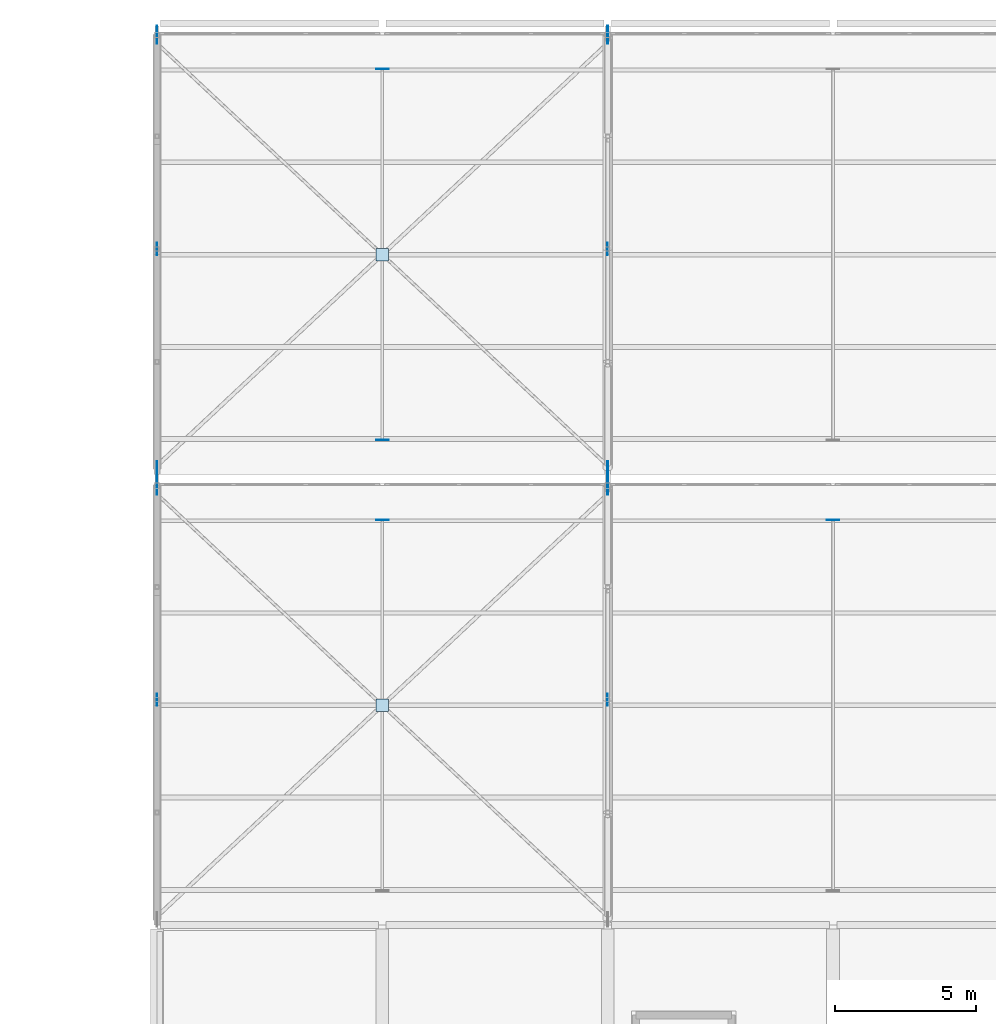
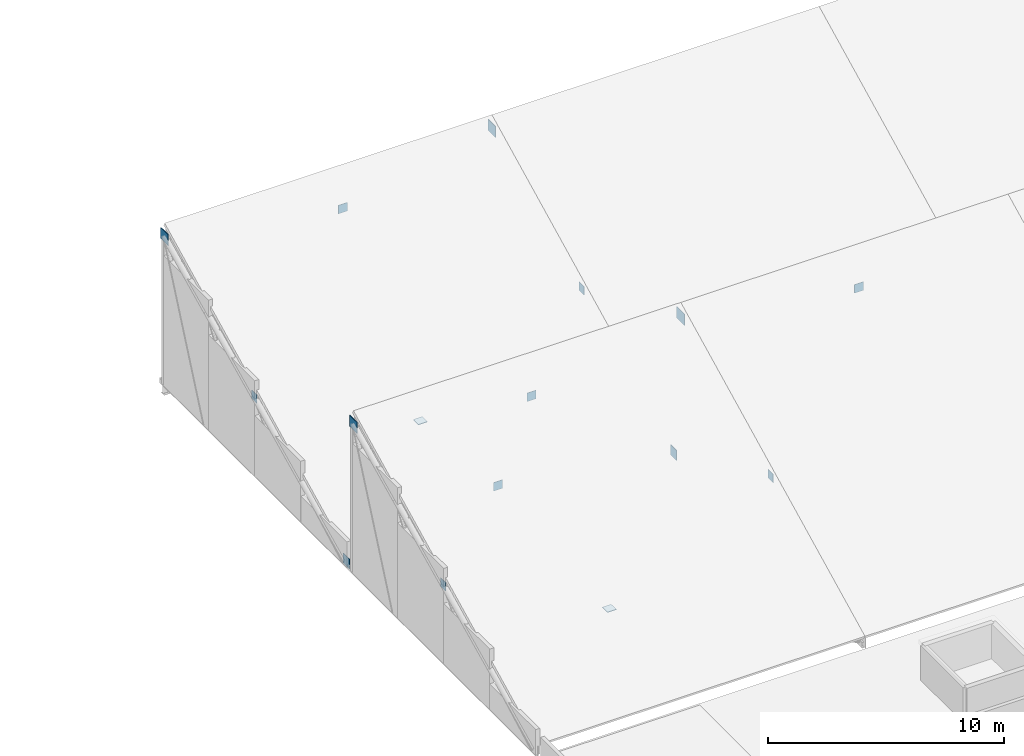
# One storey, part 102 of 137: 16 plates.
"""IFC4 building model written with IfcOpenShell, lengths in metres."""

from ifc_helpers import new_model, si_unit, direction, frame, origin, origin_2d, place, context, subcontext, project, spatial, rectangle, extrude, material, layer, layer_set, type_object, element, save


model = new_model("IFC4")

# Units and contexts
model_context = context("Model", 3, precision=1e-05, world=origin(), true_north=direction((0.0, 1.0)))
body_context = subcontext(model_context, "Body", "Model", "MODEL_VIEW")
ifc_project = project(units=[si_unit("LENGTHUNIT", "METRE"), si_unit("AREAUNIT", "SQUARE_METRE"), si_unit("VOLUMEUNIT", "CUBIC_METRE"), si_unit("PLANEANGLEUNIT", "RADIAN"), si_unit("MASSUNIT", "GRAM", prefix="KILO")], contexts=[model_context])

# Site, building, storey
site_placement = place(None, origin())
site = spatial("IfcSite", under=ifc_project, at=site_placement, CompositionType="ELEMENT")
building_placement = place(site_placement, origin())
building = spatial("IfcBuilding", under=site, at=building_placement, Name="Jelvoka-Kovrelna Polytechnic", CompositionType="ELEMENT")
storey_placement = place(building_placement, frame((0.0, 0.0, 9.60009765625)))
storey = spatial("IfcBuildingStorey", under=building, at=storey_placement, Name="L03", CompositionType="ELEMENT", Elevation=9.60009765625)

# Plates
ifc_material_1 = material(Name="Structural steel S355JR", Category="steel")
ifc_layer_1 = layer(ifc_material_1, 0.02392578125)
ifc_layer_set_1 = layer_set([ifc_layer_1], Name="Structural steel S355JR")
plate_type_1 = type_object("IfcPlateType", Name="Plate_Gusset_GP1", PredefinedType="SHEET", material=ifc_layer_set_1)
for number, where, z_axis, x_axis, name in (
    (1, (88.0, 104.199951171875, 0.056396484375), (0.0, 0.0, 1.0), (0.0, 1.0, 0.0), "Sawtooth truss 1 steel gusset node plate 004"),
    (2, (104.0, 104.199951171875, 0.056396484375), (0.0, 0.0, 1.0), (0.0, 1.0, 0.0), "Sawtooth truss 2 steel gusset node plate 010"),
):
    element("IfcPlate", number, at=place(storey_placement, frame(where, z_axis=z_axis, x_axis=x_axis)), inside=storey, type_object=plate_type_1, Name=name, PredefinedType="SHEET", context=body_context, shape_type="SweptSolid", body=[
        extrude(rectangle(XDim=0.52001953125, YDim=0.02392578125, at=origin_2d()), origin(), (0.0, 0.0, 1.0), 0.52001953125),
    ])
ifc_material_2 = material(Name="Structural steel S355JR", Category="steel")
ifc_layer_2 = layer(ifc_material_2, 0.028076171875)
ifc_layer_set_2 = layer_set([ifc_layer_2], Name="Structural steel S355JR")
plate_type_2 = type_object("IfcPlateType", Name="Plate_Gusset_GP2", PredefinedType="SHEET", material=ifc_layer_set_2)
for number, where, z_axis, x_axis, name in (
    (3, (88.0, 103.60009765625, 7.449951171875), (0.0, 0.0, 1.0), (0.0, 1.0, 0.0), "Sawtooth truss 1 steel gusset node plate 003"),
    (4, (88.0, 119.60009765625, 7.449951171875), (0.0, 0.0, 1.0), (0.0, 1.0, 0.0), "Sawtooth truss 1 steel gusset node plate 006"),
    (5, (104.0, 103.60009765625, 7.449951171875), (0.0, 0.0, 1.0), (0.0, 1.0, 0.0), "Sawtooth truss 2 steel gusset node plate 009"),
    (6, (104.0, 119.60009765625, 7.449951171875), (0.0, 0.0, 1.0), (0.0, 1.0, 0.0), "Sawtooth truss 2 steel gusset node plate 012"),
):
    element("IfcPlate", number, at=place(storey_placement, frame(where, z_axis=z_axis, x_axis=x_axis)), inside=storey, type_object=plate_type_2, Name=name, PredefinedType="SHEET", context=body_context, shape_type="SweptSolid", body=[
        extrude(rectangle(XDim=0.639892578125, YDim=0.028076171875, at=origin_2d()), origin(), (0.0, 0.0, 1.0), 0.580078125),
    ])
ifc_material_3 = material(Name="Structural steel S355JR", Category="steel")
ifc_layer_3 = layer(ifc_material_3, 0.02001953125)
ifc_layer_set_3 = layer_set([ifc_layer_3], Name="Structural steel S355JR")
plate_type_3 = type_object("IfcPlateType", Name="Plate_Gusset_GP3", PredefinedType="SHEET", material=ifc_layer_set_3)
for number, where, z_axis, x_axis, name in (
    (7, (88.0, 96.0, 3.8564453125), (0.0, 0.0, 1.0), (0.0, 1.0, 0.0), "Sawtooth truss 1 steel gusset node plate 002"),
    (8, (88.0, 112.0, 3.8564453125), (0.0, 0.0, 1.0), (0.0, 1.0, 0.0), "Sawtooth truss 1 steel gusset node plate 005"),
    (9, (104.0, 96.0, 3.8564453125), (0.0, 0.0, 1.0), (0.0, 1.0, 0.0), "Sawtooth truss 2 steel gusset node plate 008"),
    (10, (104.0, 112.0, 3.8564453125), (0.0, 0.0, 1.0), (0.0, 1.0, 0.0), "Sawtooth truss 2 steel gusset node plate 011"),
    (11, (96.0, 102.382080078125, 6.933349609375), (0.0, 0.0, 1.0), (1.0, 0.0, 0.0), "Sawtooth rafter 1.1 top steel end cap plate 050"),
):
    element("IfcPlate", number, at=place(storey_placement, frame(where, z_axis=z_axis, x_axis=x_axis)), inside=storey, type_object=plate_type_3, Name=name, PredefinedType="SHEET", context=body_context, shape_type="SweptSolid", body=[
        extrude(rectangle(XDim=0.43994140625, YDim=0.02001953125, at=origin_2d()), origin(), (0.0, 0.0, 1.0), 0.43994140625),
    ])
plate_1_placement = place(storey_placement, frame((96.0, 95.800048828125, 0.139892578125), z_axis=(0.0, 0.0, 1.0), x_axis=(1.0, 0.0, 0.0)))
element("IfcPlate", 12, at=plate_1_placement, inside=storey, type_object=plate_type_3, Name="Sawtooth roof X-brace crossing gusset plate 0051", PredefinedType="SHEET", context=body_context, shape_type="SweptSolid", body=[
    extrude(rectangle(XDim=0.43994140625, YDim=0.43994140625, at=origin_2d()), origin(), (0.0, 0.0, 1.0), 0.02001953125),
])
for number, where, z_axis, x_axis, name in (
    (13, (96.0, 105.218017578125, 0.58642578125), (0.0, 0.0, 1.0), (1.0, 0.0, 0.0), "Sawtooth rafter 1.2 bot steel end cap plate 052"),
    (14, (96.0, 118.382080078125, 6.933349609375), (0.0, 0.0, 1.0), (1.0, 0.0, 0.0), "Sawtooth rafter 1.2 top steel end cap plate 053"),
):
    element("IfcPlate", number, at=place(storey_placement, frame(where, z_axis=z_axis, x_axis=x_axis)), inside=storey, type_object=plate_type_3, Name=name, PredefinedType="SHEET", context=body_context, shape_type="SweptSolid", body=[
        extrude(rectangle(XDim=0.43994140625, YDim=0.02001953125, at=origin_2d()), origin(), (0.0, 0.0, 1.0), 0.43994140625),
    ])
plate_2_placement = place(storey_placement, frame((96.0, 111.800048828125, 0.139892578125), z_axis=(0.0, 0.0, 1.0), x_axis=(1.0, 0.0, 0.0)))
element("IfcPlate", 15, at=plate_2_placement, inside=storey, type_object=plate_type_3, Name="Sawtooth roof X-brace crossing gusset plate 0054", PredefinedType="SHEET", context=body_context, shape_type="SweptSolid", body=[
    extrude(rectangle(XDim=0.43994140625, YDim=0.43994140625, at=origin_2d()), origin(), (0.0, 0.0, 1.0), 0.02001953125),
])
plate_3_placement = place(storey_placement, frame((112.0, 102.382080078125, 6.933349609375), z_axis=(0.0, 0.0, 1.0), x_axis=(1.0, 0.0, 0.0)))
element("IfcPlate", 16, at=plate_3_placement, inside=storey, type_object=plate_type_3, Name="Sawtooth rafter 2.1 top steel end cap plate 056", PredefinedType="SHEET", context=body_context, shape_type="SweptSolid", body=[
    extrude(rectangle(XDim=0.43994140625, YDim=0.02001953125, at=origin_2d()), origin(), (0.0, 0.0, 1.0), 0.43994140625),
])

save(model, "model.ifc")
